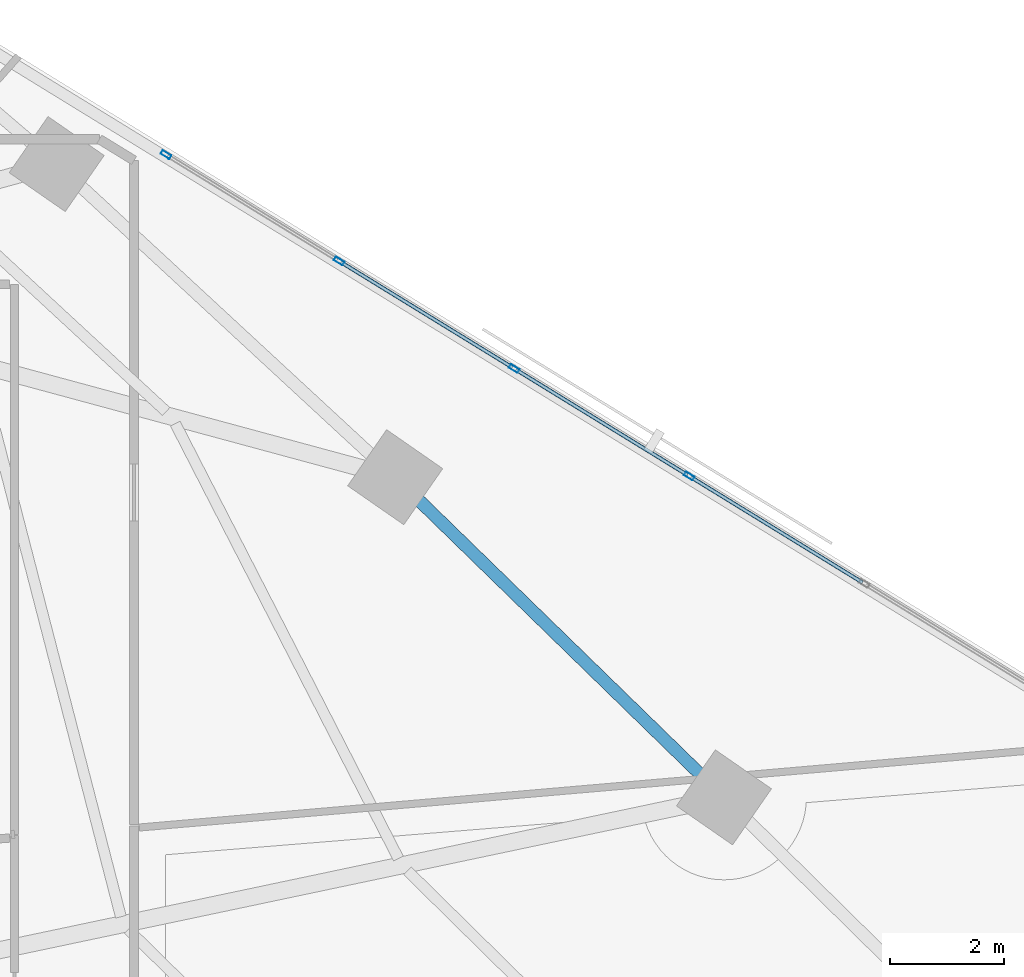
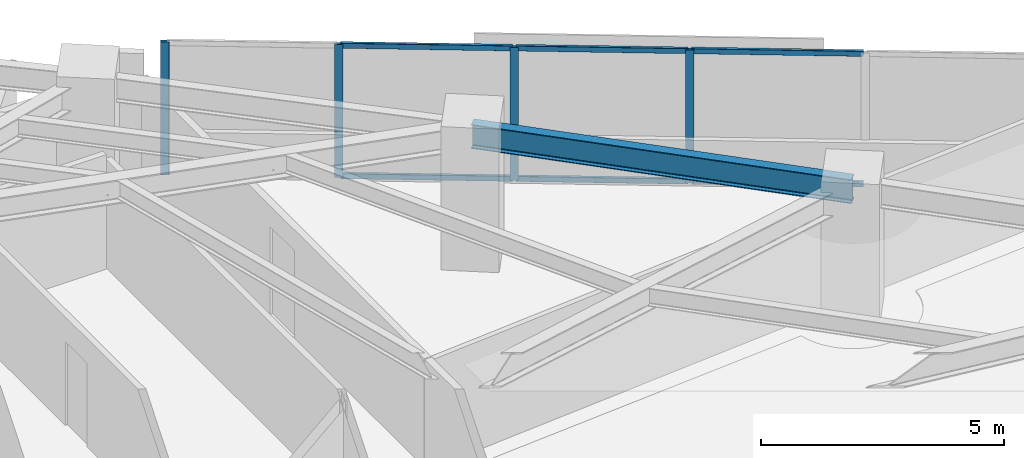
# One storey, part 6 of 18: 10 members, 1 beam, 1 element without a shape of its own.
"""IFC4 building model written with IfcOpenShell, lengths in metres."""

from ifc_helpers import new_model, si_unit, direction, frame, origin, origin_2d, place, context, subcontext, project, spatial, hollow_rectangle, i_section, extrude, material, material_profile, profile_set, type_object, element, aggregate, save


model = new_model("IFC4")

# Units and contexts
model_context = context("Model", 3, precision=1e-05, world=origin(), true_north=direction((0.0, 1.0)))
body_context = subcontext(model_context, "Body", "Model", "MODEL_VIEW")
ifc_project = project(units=[si_unit("LENGTHUNIT", "METRE"), si_unit("AREAUNIT", "SQUARE_METRE"), si_unit("VOLUMEUNIT", "CUBIC_METRE"), si_unit("PLANEANGLEUNIT", "RADIAN"), si_unit("MASSUNIT", "GRAM", prefix="KILO")], contexts=[model_context])

# Site, building, storey
site_placement = place(None, origin())
site = spatial("IfcSite", under=ifc_project, at=site_placement, CompositionType="ELEMENT")
building_placement = place(site_placement, origin())
building = spatial("IfcBuilding", under=site, at=building_placement, Name="Narakoshi Arena Tower", CompositionType="ELEMENT")
storey_placement = place(building_placement, frame((0.0, 0.0, 120.89990234375)))
storey = spatial("IfcBuildingStorey", under=building, at=storey_placement, Name="L32", CompositionType="ELEMENT", Elevation=120.89990234375)

# Beam
ifc_material_1 = material(Name="Structural steel S355J2", Category="steel")
ifc_material_profile_1 = material_profile(ifc_material_1, i_section(OverallWidth=0.219970703125, OverallDepth=0.60009765625, WebThickness=0.011962890625, FlangeThickness=0.01904296875, FilletRadius=0.02392578125, at=origin_2d()), Name="IPE600")
ifc_profile_set_1 = profile_set([ifc_material_profile_1], Name="Structural steel S355J2")
beam_type = type_object("IfcBeamType", Name="BM-EDGE-600", PredefinedType="BEAM", material=ifc_profile_set_1)
beam_placement = place(storey_placement, frame((104.42041015625, 47.33056640625, 3.0400390625), z_axis=(-0.71641187053, 0.697677598726, 0.0), x_axis=(-0.697677598726, -0.71641187053, 0.0)))
element("IfcBeam", 1, at=beam_placement, inside=storey, type_object=beam_type, Name="L32 Perimeter Edge Girder 05", PredefinedType="BEAM", context=body_context, shape_type="SweptSolid", body=[
    extrude(i_section(OverallWidth=0.219970703125, OverallDepth=0.60009765625, WebThickness=0.011962890625, FlangeThickness=0.01904296875, FilletRadius=0.02392578125, at=origin_2d()), origin(), (0.0, 0.0, 1.0), 8.066650390625),
])

# Curtain wall, members
ifc_material_2 = material(Name="Anodised bronze aluminium 6063-T6", Category="aluminium")
curtain_wall_type = type_object("IfcCurtainWallType", Name="CW-HYP-LOW", PredefinedType="NOTDEFINED", material=ifc_material_2)
curtain_wall_placement = place(storey_placement, origin())
curtain_wall = element("IfcCurtainWall", 2, at=curtain_wall_placement, inside=storey, type_object=curtain_wall_type, Name="L32 Folded Hypotenuse Curtain Wall 1-1", PredefinedType="NOTDEFINED")
ifc_material_profile_2 = material_profile(ifc_material_2, hollow_rectangle(XDim=0.074951171875, YDim=0.179931640625, WallThickness=0.00390625, OuterFilletRadius=0.0048828125, at=origin_2d()), Name="MUL180x75x4")
ifc_profile_set_2 = profile_set([ifc_material_profile_2], Name="Anodised bronze aluminium 6063-T6")
member_type_1 = type_object("IfcMemberType", Name="MEM-MUL-180", PredefinedType="MULLION", material=ifc_profile_set_2)
member_1_placement = place(storey_placement, frame((103.81005859375, 52.97802734375, 0.0), z_axis=(0.0, 0.0, 1.0), x_axis=(-0.523357676535, -0.852113104237, 0.0)))
member_1 = element("IfcMember", 3, at=member_1_placement, type_object=member_type_1, Name="CW-01 mullion 6", PredefinedType="MULLION", context=body_context, shape_type="SweptSolid", body=[
    extrude(hollow_rectangle(XDim=0.074951171875, YDim=0.179931640625, WallThickness=0.00390625, OuterFilletRadius=0.0048828125, at=origin_2d()), origin(), (0.0, 0.0, 1.0), 3.340087890625),
])
member_2_placement = place(storey_placement, frame((100.733154296875, 54.86767578125, 0.0), z_axis=(0.0, 0.0, 1.0), x_axis=(-0.523357676535, -0.852113104237, 0.0)))
member_2 = element("IfcMember", 4, at=member_2_placement, type_object=member_type_1, Name="CW-01 mullion 7", PredefinedType="MULLION", context=body_context, shape_type="SweptSolid", body=[
    extrude(hollow_rectangle(XDim=0.074951171875, YDim=0.179931640625, WallThickness=0.00390625, OuterFilletRadius=0.0048828125, at=origin_2d()), origin(), (0.0, 0.0, 1.0), 3.340087890625),
])
member_3_placement = place(storey_placement, frame((97.65625, 56.757568359375, 0.0), z_axis=(0.0, 0.0, 1.0), x_axis=(-0.523357676535, -0.852113104237, 0.0)))
member_3 = element("IfcMember", 5, at=member_3_placement, type_object=member_type_1, Name="CW-01 mullion 8", PredefinedType="MULLION", context=body_context, shape_type="SweptSolid", body=[
    extrude(hollow_rectangle(XDim=0.074951171875, YDim=0.179931640625, WallThickness=0.00390625, OuterFilletRadius=0.0048828125, at=origin_2d()), origin(), (0.0, 0.0, 1.0), 3.340087890625),
])
member_4_placement = place(storey_placement, frame((94.611328125, 58.627685546875, 0.0), z_axis=(0.0, 0.0, 1.0), x_axis=(-0.523357676535, -0.852113104237, 0.0)))
member_4 = element("IfcMember", 6, at=member_4_placement, type_object=member_type_1, Name="CW-01 mullion 9", PredefinedType="MULLION", context=body_context, shape_type="SweptSolid", body=[
    extrude(hollow_rectangle(XDim=0.074951171875, YDim=0.179931640625, WallThickness=0.00390625, OuterFilletRadius=0.0048828125, at=origin_2d()), origin(), (0.0, 0.0, 1.0), 3.340087890625),
])
ifc_material_profile_3 = material_profile(ifc_material_2, hollow_rectangle(XDim=0.06494140625, YDim=0.1298828125, WallThickness=0.00390625, OuterFilletRadius=0.0048828125, at=origin_2d()), Name="TRN130x65x4")
ifc_profile_set_3 = profile_set([ifc_material_profile_3], Name="Anodised bronze aluminium 6063-T6")
member_type_2 = type_object("IfcMemberType", Name="MEM-TRN-130", PredefinedType="USERDEFINED", material=ifc_profile_set_3)
member_5_placement = place(storey_placement, frame((106.85498046875, 51.107666015625, 0.03271484375), z_axis=(-0.852103699909, 0.523372988032, 0.0), x_axis=(-0.523372988032, -0.852103699909, 0.0)))
member_5 = element("IfcMember", 7, at=member_5_placement, type_object=member_type_2, Name="CW-01 transom 5.1", ObjectType="TRANSOM", PredefinedType="USERDEFINED", context=body_context, shape_type="SweptSolid", body=[
    extrude(hollow_rectangle(XDim=0.06494140625, YDim=0.1298828125, WallThickness=0.00390625, OuterFilletRadius=0.0048828125, at=origin_2d()), origin(), (0.0, 0.0, 1.0), 3.535888671875),
])
member_6_placement = place(storey_placement, frame((106.85498046875, 51.107666015625, 3.3076171875), z_axis=(-0.852103699909, 0.523372988032, 0.0), x_axis=(-0.523372988032, -0.852103699909, 0.0)))
member_6 = element("IfcMember", 8, at=member_6_placement, type_object=member_type_2, Name="CW-01 transom 5.2", ObjectType="TRANSOM", PredefinedType="USERDEFINED", context=body_context, shape_type="SweptSolid", body=[
    extrude(hollow_rectangle(XDim=0.06494140625, YDim=0.1298828125, WallThickness=0.00390625, OuterFilletRadius=0.0048828125, at=origin_2d()), origin(), (0.0, 0.0, 1.0), 3.535888671875),
])
member_7_placement = place(storey_placement, frame((103.778076171875, 52.99755859375, 0.03271484375), z_axis=(-0.852103699909, 0.523372988032, 0.0), x_axis=(-0.523372988032, -0.852103699909, 0.0)))
member_7 = element("IfcMember", 9, at=member_7_placement, type_object=member_type_2, Name="CW-01 transom 6.1", ObjectType="TRANSOM", PredefinedType="USERDEFINED", context=body_context, shape_type="SweptSolid", body=[
    extrude(hollow_rectangle(XDim=0.06494140625, YDim=0.1298828125, WallThickness=0.00390625, OuterFilletRadius=0.0048828125, at=origin_2d()), origin(), (0.0, 0.0, 1.0), 3.535888671875),
])
member_8_placement = place(storey_placement, frame((103.778076171875, 52.99755859375, 3.3076171875), z_axis=(-0.852103699909, 0.523372988032, 0.0), x_axis=(-0.523372988032, -0.852103699909, 0.0)))
member_8 = element("IfcMember", 10, at=member_8_placement, type_object=member_type_2, Name="CW-01 transom 6.2", ObjectType="TRANSOM", PredefinedType="USERDEFINED", context=body_context, shape_type="SweptSolid", body=[
    extrude(hollow_rectangle(XDim=0.06494140625, YDim=0.1298828125, WallThickness=0.00390625, OuterFilletRadius=0.0048828125, at=origin_2d()), origin(), (0.0, 0.0, 1.0), 3.535888671875),
])
member_9_placement = place(storey_placement, frame((100.701171875, 54.887451171875, 0.03271484375), z_axis=(-0.852134492111, 0.523322851933, 0.0), x_axis=(-0.523322851933, -0.852134492111, 0.0)))
member_9 = element("IfcMember", 11, at=member_9_placement, type_object=member_type_2, Name="CW-01 transom 7.1", ObjectType="TRANSOM", PredefinedType="USERDEFINED", context=body_context, shape_type="SweptSolid", body=[
    extrude(hollow_rectangle(XDim=0.06494140625, YDim=0.1298828125, WallThickness=0.00390625, OuterFilletRadius=0.0048828125, at=origin_2d()), origin(), (0.0, 0.0, 1.0), 3.53564453125),
])
member_10_placement = place(storey_placement, frame((100.701171875, 54.887451171875, 3.3076171875), z_axis=(-0.852134492111, 0.523322851933, 0.0), x_axis=(-0.523322851933, -0.852134492111, 0.0)))
member_10 = element("IfcMember", 12, at=member_10_placement, type_object=member_type_2, Name="CW-01 transom 7.2", ObjectType="TRANSOM", PredefinedType="USERDEFINED", context=body_context, shape_type="SweptSolid", body=[
    extrude(hollow_rectangle(XDim=0.06494140625, YDim=0.1298828125, WallThickness=0.00390625, OuterFilletRadius=0.0048828125, at=origin_2d()), origin(), (0.0, 0.0, 1.0), 3.53564453125),
])
aggregate(curtain_wall, [member_1, member_2, member_3, member_4, member_5, member_6, member_7, member_8, member_9, member_10])

save(model, "model.ifc")
